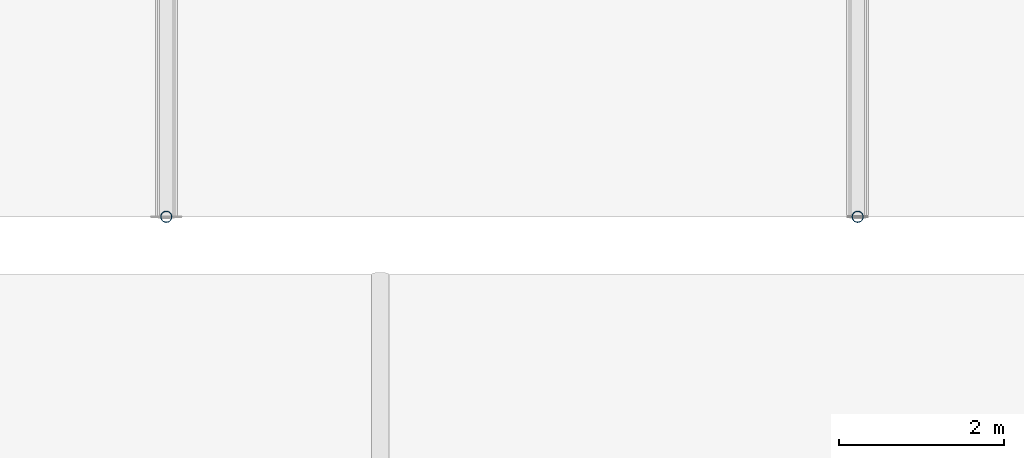
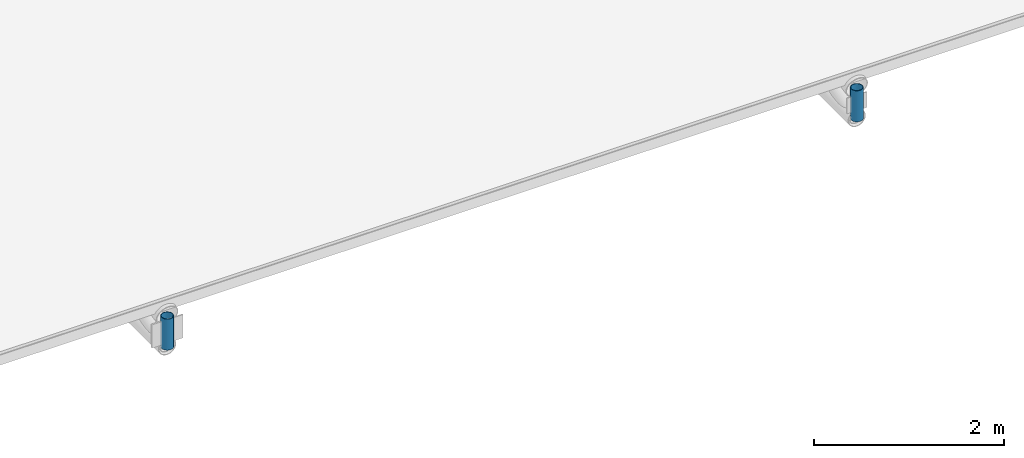
# One storey, part 142 of 194: 2 members.
"""IFC4 building model written with IfcOpenShell, lengths in metres."""

from ifc_helpers import new_model, si_unit, direction, frame, origin, origin_2d, place, context, subcontext, project, spatial, hollow_circle, extrude, material, material_profile, profile_set, type_object, element, save


model = new_model("IFC4")

# Units and contexts
model_context = context("Model", 3, precision=1e-05, world=origin(), true_north=direction((0.0, 1.0)))
body_context = subcontext(model_context, "Body", "Model", "MODEL_VIEW")
ifc_project = project(units=[si_unit("LENGTHUNIT", "METRE"), si_unit("AREAUNIT", "SQUARE_METRE"), si_unit("VOLUMEUNIT", "CUBIC_METRE"), si_unit("PLANEANGLEUNIT", "RADIAN"), si_unit("MASSUNIT", "GRAM", prefix="KILO")], contexts=[model_context])

# Site, building, storey
site_placement = place(None, origin())
site = spatial("IfcSite", under=ifc_project, at=site_placement, CompositionType="ELEMENT")
building_placement = place(site_placement, origin())
building = spatial("IfcBuilding", under=site, at=building_placement, Name="Kazenagashi Tramway Depot", CompositionType="ELEMENT")
storey_placement = place(building_placement, frame((0.0, 0.0, 23.7)))
storey = spatial("IfcBuildingStorey", under=building, at=storey_placement, Name="ROOF", CompositionType="ELEMENT", Elevation=23.7)

# Members
ifc_material = material(Name="Steel STK490", Category="steel")
ifc_material_profile = material_profile(ifc_material, hollow_circle(Radius=0.0699, WallThickness=0.0066, at=origin_2d()), Name="CHS-139.8x6.6")
ifc_profile_set = profile_set([ifc_material_profile], Name="Steel STK490")
member_type = type_object("IfcMemberType", Name="TS-02", PredefinedType="STRUT", material=ifc_profile_set)
for number, where, z_axis, x_axis, name in (
    (1, (179.2, 70.0, -14.1), (0.0, 0.0, 1.0), (1.0, 0.0, 0.0), "Tubular Space Frame TS-02 MEM-0995"),
    (2, (187.6, 70.0, -14.1), (0.0, 0.0, 1.0), (1.0, 0.0, 0.0), "Tubular Space Frame TS-02 MEM-1056"),
):
    element("IfcMember", number, at=place(storey_placement, frame(where, z_axis=z_axis, x_axis=x_axis)), inside=storey, type_object=member_type, Name=name, PredefinedType="STRUT", context=body_context, shape_type="SweptSolid", body=[
        extrude(hollow_circle(Radius=0.0699, WallThickness=0.0066, at=origin_2d()), origin(), (0.0, 0.0, 1.0), 0.4),
    ])

save(model, "model.ifc")
